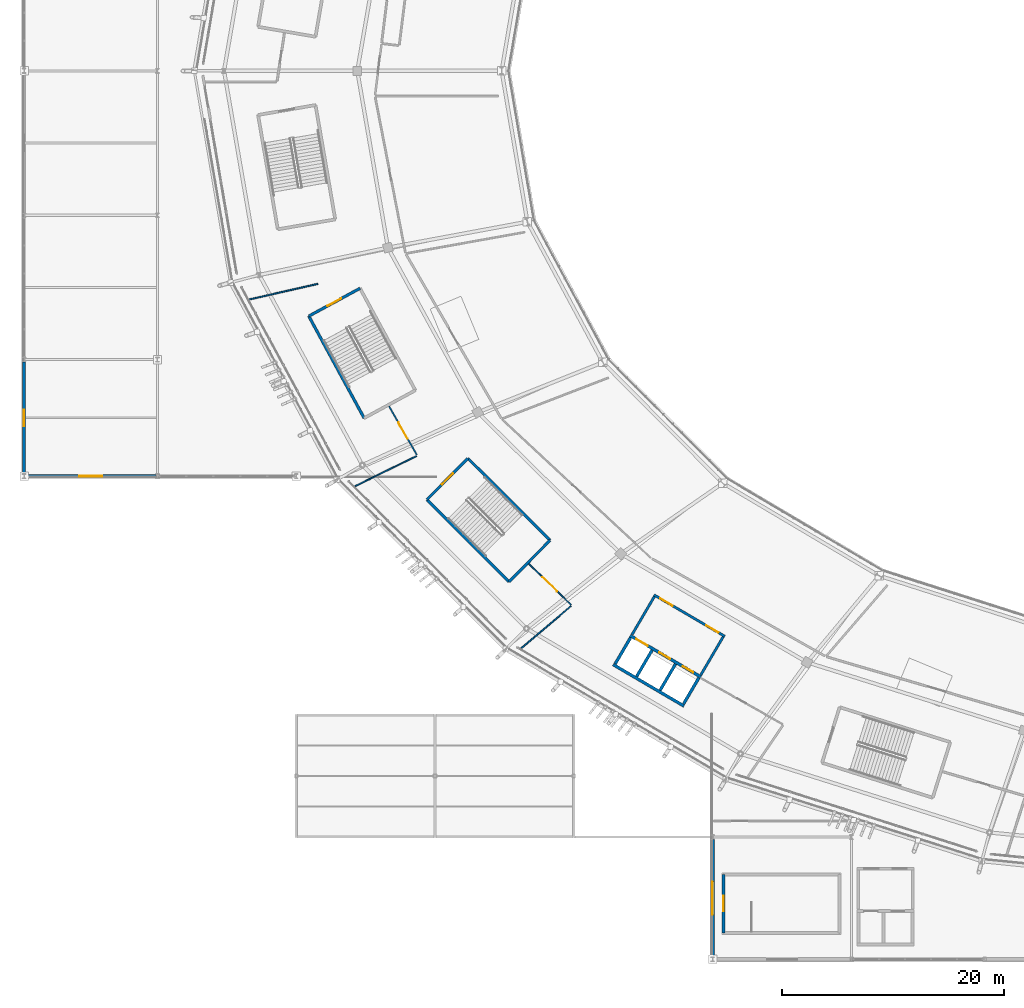
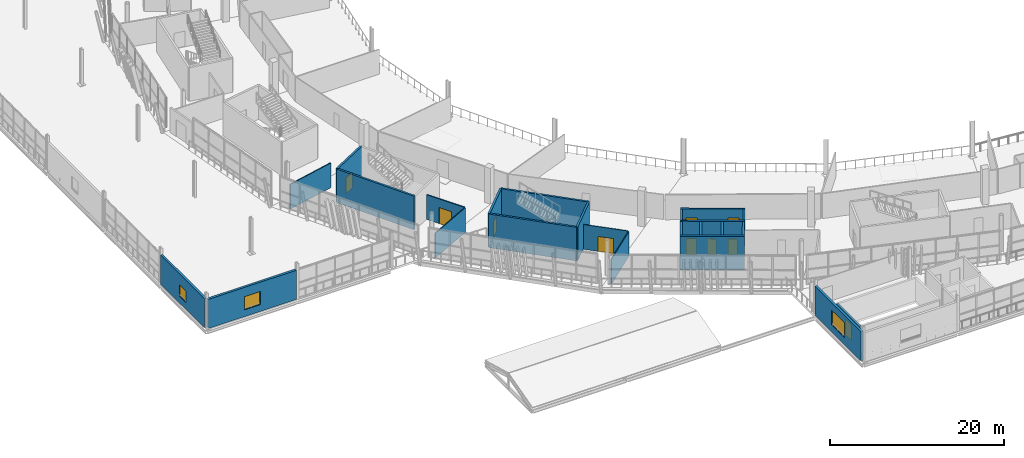
# One storey, part 123 of 179: 24 walls, 10 doors, 3 windows, 13 openings.
"""IFC4 building model written with IfcOpenShell, lengths in metres."""

from ifc_helpers import new_model, si_unit, direction, frame, frame_2d, origin, place, context, subcontext, project, spatial, rectangle, extrude, material, layer, layer_set, type_object, element, fill, save


model = new_model("IFC4")

# Units and contexts
model_context = context("Model", 3, precision=1e-05, world=origin(), true_north=direction((0.0, 1.0)))
body_context = subcontext(model_context, "Body", "Model", "MODEL_VIEW")
ifc_project = project(units=[si_unit("LENGTHUNIT", "METRE"), si_unit("AREAUNIT", "SQUARE_METRE"), si_unit("VOLUMEUNIT", "CUBIC_METRE"), si_unit("PLANEANGLEUNIT", "RADIAN"), si_unit("MASSUNIT", "GRAM", prefix="KILO")], contexts=[model_context])

# Site, building, storey
site_placement = place(None, origin())
site = spatial("IfcSite", under=ifc_project, at=site_placement, CompositionType="ELEMENT")
building_placement = place(site_placement, origin())
building = spatial("IfcBuilding", under=site, at=building_placement, Name="Zlatoyarsky Gate Stadium", CompositionType="ELEMENT")
storey_placement = place(building_placement, frame((0.0, 0.0, 10.60009765625)))
storey = spatial("IfcBuildingStorey", under=building, at=storey_placement, Name="L02", CompositionType="ELEMENT", Elevation=10.60009765625)

# Walls
ifc_material_1 = material(Name="Anodised aluminium acoustic operable wall", Category="aluminium")
ifc_layer_1 = layer(ifc_material_1, 0.114990234375)
ifc_layer_set_1 = layer_set([ifc_layer_1], Name="Anodised aluminium acoustic operable wall")
wall_type_1 = type_object("IfcWallType", Name="ACOUSTIC OPERABLE SUITE WALL 115", PredefinedType="MOVABLE", material=ifc_layer_set_1)
wall_1_placement = place(storey_placement, frame((49.2470703125, 31.806396484375, 0.0), z_axis=(0.0, 0.0, 1.0), x_axis=(-0.762603299445, -0.646866452736, 0.0)))
element("IfcWall", 1, at=wall_1_placement, inside=storey, type_object=wall_type_1, Name="L02 interior partition PRT-L02-ORD-14R", PredefinedType="MOVABLE", context=body_context, shape_type="SweptSolid", body=[
    extrude(rectangle(XDim=5.9296875, YDim=0.114990234375, at=frame_2d((2.96484375, 0.0))), origin(), (0.0, 0.0, 1.0), 3.469970703125),
])
ifc_material_2 = material(Name="Concrete C40/50", Category="concrete")
ifc_layer_2 = layer(ifc_material_2, 0.27001953125)
ifc_layer_set_2 = layer_set([ifc_layer_2], Name="Concrete C40/50")
wall_type_2 = type_object("IfcWallType", Name="CONCRETE LIFT SHAFT SHEAR WALL 270", PredefinedType="SHEAR", material=ifc_layer_set_2)
wall_2_placement = place(storey_placement, frame((53.037353515625, 26.541015625, 0.0), z_axis=(0.0, 0.0, 1.0), x_axis=(0.862865684113, -0.505433290534, 0.0)))
element("IfcWall", 2, at=wall_2_placement, inside=storey, type_object=wall_type_2, Name="C3 L02 lift shaft rear wall", PredefinedType="SHEAR", context=body_context, shape_type="SweptSolid", body=[
    extrude(rectangle(XDim=7.400146484375, YDim=0.27001953125, at=frame_2d((3.7001953125, 0.0))), origin(), (0.0, 0.0, 1.0), 4.719970703125),
])
for number, where, z_axis, x_axis, name in (
    (3, (53.227294921875, 26.597900390625, 0.0), (0.0, 0.0, 1.0), (0.505465660416, 0.862846722275, 0.0), "C3 L02 lift shaft left wall"),
    (4, (59.37939453125, 22.993896484375, 0.0), (0.0, 0.0, 1.0), (0.505465660416, 0.862846722275, 0.0), "C3 L02 lift shaft right wall"),
):
    element("IfcWall", number, at=place(storey_placement, frame(where, z_axis=z_axis, x_axis=x_axis)), inside=storey, type_object=wall_type_2, Name=name, PredefinedType="SHEAR", context=body_context, shape_type="SweptSolid", body=[
        extrude(rectangle(XDim=2.739990234375, YDim=0.27001953125, at=frame_2d((1.3701171875, 0.0))), origin(), (0.0, 0.0, 1.0), 4.719970703125),
    ])
wall_3_placement = place(storey_placement, frame((55.159912109375, 25.4658203125, 0.0), z_axis=(0.0, 0.0, 1.0), x_axis=(0.505504523015, 0.862823954936, 0.0)))
element("IfcWall", 5, at=wall_3_placement, inside=storey, type_object=wall_type_2, Name="C3 L02 lift shaft divider 1", PredefinedType="SHEAR", context=body_context, shape_type="SweptSolid", body=[
    extrude(rectangle(XDim=2.73974609375, YDim=0.27001953125, at=frame_2d((1.369873046875, 0.0))), origin(), (0.0, 0.0, 1.0), 4.719970703125),
])
wall_4_placement = place(storey_placement, frame((57.27392578125, 24.227294921875, 0.0), z_axis=(0.0, 0.0, 1.0), x_axis=(0.505465660416, 0.862846722275, 0.0)))
element("IfcWall", 6, at=wall_4_placement, inside=storey, type_object=wall_type_2, Name="C3 L02 lift shaft divider 2", PredefinedType="SHEAR", context=body_context, shape_type="SweptSolid", body=[
    extrude(rectangle(XDim=2.739990234375, YDim=0.27001953125, at=frame_2d((1.3701171875, 0.0))), origin(), (0.0, 0.0, 1.0), 4.719970703125),
])

# Wall, openings, doors
wall_5_placement = place(storey_placement, frame((54.569091796875, 29.155517578125, 0.0), z_axis=(0.0, 0.0, 1.0), x_axis=(0.862842866418, -0.505472242434, 0.0)))
wall_5 = element("IfcWall", 7, at=wall_5_placement, inside=storey, type_object=wall_type_2, Name="C3 L02 lift landing front wall", PredefinedType="SHEAR", context=body_context, shape_type="SweptSolid", body=[
    extrude(rectangle(XDim=7.39990234375, YDim=0.27001953125, at=frame_2d((3.699951171875, 0.0))), origin(), (0.0, 0.0, 1.0), 4.719970703125),
])
opening_1_placement = place(wall_5_placement, frame((0.64990234375, 0.0, 0.0)))
opening_1 = element("IfcOpeningElement", 8, at=opening_1_placement, cuts=wall_5, Name="Opening LD-FL-03-L02", PredefinedType="OPENING", context=body_context, shape_type="SweptSolid", body=[
    extrude(rectangle(XDim=1.199951171875, YDim=2.25, at=frame_2d((0.60009765625, 1.125))), frame((0.0, 0.14501953125, 0.0), z_axis=(0.0, -1.0, 0.0), x_axis=(1.0, 0.0, 0.0)), (0.0, 0.0, 1.0), 0.2900390625),
])
opening_2_placement = place(wall_5_placement, frame((3.050048828125, 0.0, 0.0)))
opening_2 = element("IfcOpeningElement", 9, at=opening_2_placement, cuts=wall_5, Name="Opening LD-LF-05-L02", PredefinedType="OPENING", context=body_context, shape_type="SweptSolid", body=[
    extrude(rectangle(XDim=1.10009765625, YDim=2.199951171875, at=frame_2d((0.550048828125, 1.10009765625))), frame((0.0, 0.14501953125, 0.0), z_axis=(0.0, -1.0, 0.0), x_axis=(1.0, 0.0, 0.0)), (0.0, 0.0, 1.0), 0.2900390625),
])
opening_3_placement = place(wall_5_placement, frame((5.5, 0.0, 0.0)))
opening_3 = element("IfcOpeningElement", 10, at=opening_3_placement, cuts=wall_5, Name="Opening LD-LF-06-L02", PredefinedType="OPENING", context=body_context, shape_type="SweptSolid", body=[
    extrude(rectangle(XDim=1.10009765625, YDim=2.199951171875, at=frame_2d((0.550048828125, 1.10009765625))), frame((0.0, 0.14501953125, 0.0), z_axis=(0.0, -1.0, 0.0), x_axis=(1.0, 0.0, 0.0)), (0.0, 0.0, 1.0), 0.2900390625),
])
ifc_material_3 = material(Name="Powder-coated steel fire door", Category="steel")
door_type_1 = type_object("IfcDoorType", Name="STAINLESS LIFT LANDING SLIDING DOOR 1100X2200", OperationType="DOUBLE_DOOR_SLIDING", PredefinedType="DOOR", material=ifc_material_3)
door_1_placement = place(opening_2_placement, origin())
door_1 = element("IfcDoor", 11, at=door_1_placement, inside=storey, type_object=door_type_1, Name="Lift LF-05 L02 sliding landing door", OperationType="DOUBLE_DOOR_SLIDING", OverallHeight=2.199951171875, OverallWidth=1.10009765625, PredefinedType="DOOR", context=body_context, shape_type="SweptSolid", body=[
    extrude(rectangle(XDim=1.10009765625, YDim=2.199951171875, at=frame_2d((0.550048828125, 1.10009765625))), frame((0.0, 0.02490234375, 0.0), z_axis=(0.0, -1.0, 0.0), x_axis=(1.0, 0.0, 0.0)), (0.0, 0.0, 1.0), 0.050048828125),
])
fill(opening_2, door_1)
door_2_placement = place(opening_3_placement, origin())
door_2 = element("IfcDoor", 12, at=door_2_placement, inside=storey, type_object=door_type_1, Name="Lift LF-06 L02 sliding landing door", OperationType="DOUBLE_DOOR_SLIDING", OverallHeight=2.199951171875, OverallWidth=1.10009765625, PredefinedType="DOOR", context=body_context, shape_type="SweptSolid", body=[
    extrude(rectangle(XDim=1.10009765625, YDim=2.199951171875, at=frame_2d((0.550048828125, 1.10009765625))), frame((0.0, 0.02490234375, 0.0), z_axis=(0.0, -1.0, 0.0), x_axis=(1.0, 0.0, 0.0)), (0.0, 0.0, 1.0), 0.050048828125),
])
fill(opening_3, door_2)
door_type_2 = type_object("IfcDoorType", Name="STAINLESS LIFT LANDING SLIDING DOOR 1200X2250", OperationType="DOUBLE_DOOR_SLIDING", PredefinedType="DOOR", material=ifc_material_3)
door_3_placement = place(opening_1_placement, origin())
door_3 = element("IfcDoor", 13, at=door_3_placement, inside=storey, type_object=door_type_2, Name="Lift FL-03 L02 sliding landing door", OperationType="DOUBLE_DOOR_SLIDING", OverallHeight=2.25, OverallWidth=1.199951171875, PredefinedType="DOOR", context=body_context, shape_type="SweptSolid", body=[
    extrude(rectangle(XDim=1.199951171875, YDim=2.25, at=frame_2d((0.60009765625, 1.125))), frame((0.0, 0.02490234375, 0.0), z_axis=(0.0, -1.0, 0.0), x_axis=(1.0, 0.0, 0.0)), (0.0, 0.0, 1.0), 0.050048828125),
])
fill(opening_1, door_3)

# Wall, opening, door
ifc_layer_3 = layer(ifc_material_2, 0.25)
ifc_layer_set_3 = layer_set([ifc_layer_3], Name="Concrete C40/50")
wall_type_3 = type_object("IfcWallType", Name="CONCRETE STAIR CORE SHEAR WALL 250", PredefinedType="SHEAR", material=ifc_layer_set_3)
wall_6_placement = place(storey_placement, frame((39.961181640625, 45.10205078125, 0.0), z_axis=(0.0, 0.0, 1.0), x_axis=(-0.705314141126, -0.708894888067, 0.0)))
wall_6 = element("IfcWall", 14, at=wall_6_placement, inside=storey, type_object=wall_type_3, Name="ST-08 L02 stair core entrance shear wall", PredefinedType="SHEAR", context=body_context, shape_type="SweptSolid", body=[
    extrude(rectangle(XDim=5.25, YDim=0.25, at=frame_2d((2.625, 0.0))), origin(), (0.0, 0.0, 1.0), 4.719970703125),
])
opening_4_placement = place(wall_6_placement, frame((1.925048828125, 0.0, 0.0)))
opening_4 = element("IfcOpeningElement", 15, at=opening_4_placement, cuts=wall_6, Name="Opening SD-ST-08-L02", PredefinedType="OPENING", context=body_context, shape_type="SweptSolid", body=[
    extrude(rectangle(XDim=1.39990234375, YDim=2.199951171875, at=frame_2d((0.699951171875, 1.10009765625))), frame((0.0, 0.135009765625, 0.0), z_axis=(0.0, -1.0, 0.0), x_axis=(1.0, 0.0, 0.0)), (0.0, 0.0, 1.0), 0.27001953125),
])
door_type_3 = type_object("IfcDoorType", Name="STAIR CORE FIRE EXIT DOOR 1400X2200", OperationType="NOTDEFINED", PredefinedType="DOOR", material=ifc_material_3)
door_4_placement = place(opening_4_placement, frame((1.39990234375, 0.0, 0.0), z_axis=(0.0, 0.0, 1.0), x_axis=(-1.0, 0.0, 0.0)))
door_4 = element("IfcDoor", 16, at=door_4_placement, inside=storey, type_object=door_type_3, Name="ST-08 L02 stair fire door", OperationType="SINGLE_SWING_RIGHT", OverallHeight=2.199951171875, OverallWidth=1.39990234375, PredefinedType="DOOR", context=body_context, shape_type="SweptSolid", body=[
    extrude(rectangle(XDim=1.39990234375, YDim=2.199951171875, at=frame_2d((0.699951171875, 1.10009765625))), frame((0.0, 0.02490234375, 0.0), z_axis=(0.0, -1.0, 0.0), x_axis=(1.0, 0.0, 0.0)), (0.0, 0.0, 1.0), 0.050048828125),
])
fill(opening_4, door_4)

# Walls
wall_7_placement = place(storey_placement, frame((36.25830078125, 41.38037109375, 0.0), z_axis=(0.0, 0.0, 1.0), x_axis=(0.708891762409, -0.705317282639, 0.0)))
element("IfcWall", 17, at=wall_7_placement, inside=storey, type_object=wall_type_3, Name="ST-08 L02 stair core left shear wall", PredefinedType="SHEAR", context=body_context, shape_type="SweptSolid", body=[
    extrude(rectangle(XDim=10.449951171875, YDim=0.25, at=frame_2d((5.22509765625, 0.0))), origin(), (0.0, 0.0, 1.0), 4.719970703125),
])
wall_8_placement = place(storey_placement, frame((43.666259765625, 34.009765625, 0.0), z_axis=(0.0, 0.0, 1.0), x_axis=(0.705314141126, 0.708894888067, 0.0)))
element("IfcWall", 18, at=wall_8_placement, inside=storey, type_object=wall_type_3, Name="ST-08 L02 stair core far shear wall", PredefinedType="SHEAR", context=body_context, shape_type="SweptSolid", body=[
    extrude(rectangle(XDim=5.25, YDim=0.25, at=frame_2d((2.625, 0.0))), origin(), (0.0, 0.0, 1.0), 4.719970703125),
])
wall_9_placement = place(storey_placement, frame((47.369140625, 37.7314453125, 0.0), z_axis=(0.0, 0.0, 1.0), x_axis=(-0.708891762409, 0.705317282639, 0.0)))
element("IfcWall", 19, at=wall_9_placement, inside=storey, type_object=wall_type_3, Name="ST-08 L02 stair core right shear wall", PredefinedType="SHEAR", context=body_context, shape_type="SweptSolid", body=[
    extrude(rectangle(XDim=10.449951171875, YDim=0.25, at=frame_2d((5.22509765625, 0.0))), origin(), (0.0, 0.0, 1.0), 4.719970703125),
])

# Wall, opening, door
wall_10_placement = place(storey_placement, frame((30.246337890625, 60.420166015625, 0.0), z_axis=(0.0, 0.0, 1.0), x_axis=(-0.878961487093, -0.47689275965, 0.0)))
wall_10 = element("IfcWall", 20, at=wall_10_placement, inside=storey, type_object=wall_type_3, Name="ST-15 L02 stair core entrance shear wall", PredefinedType="SHEAR", context=body_context, shape_type="SweptSolid", body=[
    extrude(rectangle(XDim=5.25, YDim=0.25, at=frame_2d((2.625, 0.0))), origin(), (0.0, 0.0, 1.0), 4.719970703125),
])
opening_5_placement = place(wall_10_placement, frame((1.925048828125, 0.0, 0.0)))
opening_5 = element("IfcOpeningElement", 21, at=opening_5_placement, cuts=wall_10, Name="Opening SD-ST-15-L02", PredefinedType="OPENING", context=body_context, shape_type="SweptSolid", body=[
    extrude(rectangle(XDim=1.39990234375, YDim=2.199951171875, at=frame_2d((0.699951171875, 1.10009765625))), frame((0.0, 0.135009765625, 0.0), z_axis=(0.0, -1.0, 0.0), x_axis=(1.0, 0.0, 0.0)), (0.0, 0.0, 1.0), 0.27001953125),
])
door_5_placement = place(opening_5_placement, frame((1.39990234375, 0.0, 0.0), z_axis=(0.0, 0.0, 1.0), x_axis=(-1.0, 0.0, 0.0)))
door_5 = element("IfcDoor", 22, at=door_5_placement, inside=storey, type_object=door_type_3, Name="ST-15 L02 stair fire door", OperationType="SINGLE_SWING_RIGHT", OverallHeight=2.199951171875, OverallWidth=1.39990234375, PredefinedType="DOOR", context=body_context, shape_type="SweptSolid", body=[
    extrude(rectangle(XDim=1.39990234375, YDim=2.199951171875, at=frame_2d((0.699951171875, 1.10009765625))), frame((0.0, 0.02490234375, 0.0), z_axis=(0.0, -1.0, 0.0), x_axis=(1.0, 0.0, 0.0)), (0.0, 0.0, 1.0), 0.050048828125),
])
fill(opening_5, door_5)

# Wall
wall_11_placement = place(storey_placement, frame((25.6318359375, 57.91650390625, 0.0), z_axis=(0.0, 0.0, 1.0), x_axis=(0.476876856974, -0.878970115125, 0.0)))
element("IfcWall", 23, at=wall_11_placement, inside=storey, type_object=wall_type_3, Name="ST-15 L02 stair core left shear wall", PredefinedType="SHEAR", context=body_context, shape_type="SweptSolid", body=[
    extrude(rectangle(XDim=10.4501953125, YDim=0.25, at=frame_2d((5.22509765625, 0.0))), origin(), (0.0, 0.0, 1.0), 4.719970703125),
])

# Wall, opening, door
wall_12_placement = place(storey_placement, frame((62.97509765625, 7.625, 0.0), z_axis=(0.0, 0.0, 1.0), x_axis=(0.0, -1.0, 0.0)))
wall_12 = element("IfcWall", 24, at=wall_12_placement, inside=storey, type_object=wall_type_3, Name="ST-29 L02 stair core entrance shear wall", PredefinedType="SHEAR", context=body_context, shape_type="SweptSolid", body=[
    extrude(rectangle(XDim=5.25, YDim=0.25, at=frame_2d((2.625, 0.0))), origin(), (0.0, 0.0, 1.0), 3.199951171875),
])
opening_6_placement = place(wall_12_placement, frame((1.925048828125, 0.0, 0.0)))
opening_6 = element("IfcOpeningElement", 25, at=opening_6_placement, cuts=wall_12, Name="Opening SD-ST-29-L02", PredefinedType="OPENING", context=body_context, shape_type="SweptSolid", body=[
    extrude(rectangle(XDim=1.39990234375, YDim=2.199951171875, at=frame_2d((0.699951171875, 1.10009765625))), frame((0.0, 0.135009765625, 0.0), z_axis=(0.0, -1.0, 0.0), x_axis=(1.0, 0.0, 0.0)), (0.0, 0.0, 1.0), 0.27001953125),
])
door_6_placement = place(opening_6_placement, frame((1.39990234375, 0.0, 0.0), z_axis=(0.0, 0.0, 1.0), x_axis=(-1.0, 0.0, 0.0)))
door_6 = element("IfcDoor", 26, at=door_6_placement, inside=storey, type_object=door_type_3, Name="ST-29 L02 stair fire door", OperationType="SINGLE_SWING_RIGHT", OverallHeight=2.199951171875, OverallWidth=1.39990234375, PredefinedType="DOOR", context=body_context, shape_type="SweptSolid", body=[
    extrude(rectangle(XDim=1.39990234375, YDim=2.199951171875, at=frame_2d((0.699951171875, 1.10009765625))), frame((0.0, 0.02490234375, 0.0), z_axis=(0.0, -1.0, 0.0), x_axis=(1.0, 0.0, 0.0)), (0.0, 0.0, 1.0), 0.050048828125),
])
fill(opening_6, door_6)

# Walls
ifc_material_4 = material(Name="Autoclaved aerated concrete masonry EI 120", Category="masonry")
ifc_layer_4 = layer(ifc_material_4, 0.219970703125)
ifc_layer_set_4 = layer_set([ifc_layer_4], Name="Autoclaved aerated concrete masonry EI 120")
wall_type_4 = type_object("IfcWallType", Name="FIREFIGHTING LOBBY RATED WALL 220", PredefinedType="PARTITIONING", material=ifc_layer_set_4)
for number, where, z_axis, x_axis, name in (
    (27, (54.7421875, 29.233642578125, 0.0), (0.0, 0.0, 1.0), (0.505464443681, 0.862847435051, 0.0), "C3 L02 firefighting lobby left wall"),
    (28, (60.9375, 25.6044921875, 0.0), (0.0, 0.0, 1.0), (0.505464443681, 0.862847435051, 0.0), "C3 L02 firefighting lobby right wall"),
):
    element("IfcWall", number, at=place(storey_placement, frame(where, z_axis=z_axis, x_axis=x_axis)), inside=storey, type_object=wall_type_4, Name=name, PredefinedType="PARTITIONING", context=body_context, shape_type="SweptSolid", body=[
        extrude(rectangle(XDim=3.97998046875, YDim=0.219970703125, at=frame_2d((1.989990234375, 0.0))), origin(), (0.0, 0.0, 1.0), 3.469970703125),
    ])

# Wall, openings, doors
wall_13_placement = place(storey_placement, frame((56.714599609375, 32.818359375, 0.0), z_axis=(0.0, 0.0, 1.0), x_axis=(0.862851295616, -0.505457853488, 0.0)))
wall_13 = element("IfcWall", 29, at=wall_13_placement, inside=storey, type_object=wall_type_4, Name="C3 L02 firefighting lobby front wall", PredefinedType="PARTITIONING", context=body_context, shape_type="SweptSolid", body=[
    extrude(rectangle(XDim=7.400146484375, YDim=0.219970703125, at=frame_2d((3.7001953125, 0.0))), origin(), (0.0, 0.0, 1.0), 3.469970703125),
])
opening_7_placement = place(wall_13_placement, frame((0.64990234375, 0.0, 0.0)))
opening_7 = element("IfcOpeningElement", 30, at=opening_7_placement, cuts=wall_13, Name="Opening FD-C3-L02-A", PredefinedType="OPENING", context=body_context, shape_type="SweptSolid", body=[
    extrude(rectangle(XDim=1.300048828125, YDim=2.199951171875, at=frame_2d((0.64990234375, 1.10009765625))), frame((0.0, 0.119873046875, 0.0), z_axis=(0.0, -1.0, 0.0), x_axis=(1.0, 0.0, 0.0)), (0.0, 0.0, 1.0), 0.239990234375),
])
opening_8_placement = place(wall_13_placement, frame((5.449951171875, 0.0, 0.0)))
opening_8 = element("IfcOpeningElement", 31, at=opening_8_placement, cuts=wall_13, Name="Opening FD-C3-L02-B", PredefinedType="OPENING", context=body_context, shape_type="SweptSolid", body=[
    extrude(rectangle(XDim=1.300048828125, YDim=2.199951171875, at=frame_2d((0.64990234375, 1.10009765625))), frame((0.0, 0.119873046875, 0.0), z_axis=(0.0, -1.0, 0.0), x_axis=(1.0, 0.0, 0.0)), (0.0, 0.0, 1.0), 0.239990234375),
])
door_type_4 = type_object("IfcDoorType", Name="FIREFIGHTING LOBBY FIRE DOOR 1300X2200", OperationType="NOTDEFINED", PredefinedType="DOOR", material=ifc_material_3)
door_7_placement = place(opening_7_placement, origin())
door_7 = element("IfcDoor", 32, at=door_7_placement, inside=storey, type_object=door_type_4, Name="C3 L02 firefighting lobby fire door FD-C3-L02-A", OperationType="SINGLE_SWING_LEFT", OverallHeight=2.199951171875, OverallWidth=1.300048828125, PredefinedType="DOOR", context=body_context, shape_type="SweptSolid", body=[
    extrude(rectangle(XDim=1.300048828125, YDim=2.199951171875, at=frame_2d((0.64990234375, 1.10009765625))), frame((0.0, 0.02490234375, 0.0), z_axis=(0.0, -1.0, 0.0), x_axis=(1.0, 0.0, 0.0)), (0.0, 0.0, 1.0), 0.050048828125),
])
fill(opening_7, door_7)
door_8_placement = place(opening_8_placement, origin())
door_8 = element("IfcDoor", 33, at=door_8_placement, inside=storey, type_object=door_type_4, Name="C3 L02 firefighting lobby fire door FD-C3-L02-B", OperationType="SINGLE_SWING_RIGHT", OverallHeight=2.199951171875, OverallWidth=1.300048828125, PredefinedType="DOOR", context=body_context, shape_type="SweptSolid", body=[
    extrude(rectangle(XDim=1.300048828125, YDim=2.199951171875, at=frame_2d((0.64990234375, 1.10009765625))), frame((0.0, 0.02490234375, 0.0), z_axis=(0.0, -1.0, 0.0), x_axis=(1.0, 0.0, 0.0)), (0.0, 0.0, 1.0), 0.050048828125),
])
fill(opening_8, door_8)

# Wall, opening, window
ifc_material_5 = material(Name="Limestone-faced insulated masonry wall", Category="masonry")
ifc_layer_5 = layer(ifc_material_5, 0.300048828125)
ifc_layer_set_5 = layer_set([ifc_layer_5], Name="Limestone-faced insulated masonry wall")
wall_type_5 = type_object("IfcWallType", Name="INSULATED PAVILION FACADE WALL 300", PredefinedType="STANDARD", material=ifc_layer_set_5)
wall_14_placement = place(storey_placement, frame((62.0, 0.197021484375, 0.0), z_axis=(0.0, 0.0, 1.0), x_axis=(0.0, 1.0, 0.0)))
wall_14 = element("IfcWall", 34, at=wall_14_placement, inside=storey, type_object=wall_type_5, Name="V3_SOUTH L02 W exterior wall", PredefinedType="STANDARD", context=body_context, shape_type="SweptSolid", body=[
    extrude(rectangle(XDim=10.60595703125, YDim=0.300048828125, at=frame_2d((5.302978515625, 0.0))), origin(), (0.0, 0.0, 1.0), 4.099853515625),
])
opening_9_placement = place(wall_14_placement, frame((3.802978515625, 0.0, 0.949951171875)))
opening_9 = element("IfcOpeningElement", 35, at=opening_9_placement, cuts=wall_14, Name="Opening WN-28", PredefinedType="OPENING", context=body_context, shape_type="SweptSolid", body=[
    extrude(rectangle(XDim=3.0, YDim=2.10009765625, at=frame_2d((1.5, 1.050048828125))), frame((0.0, 0.159912109375, 0.0), z_axis=(0.0, -1.0, 0.0), x_axis=(1.0, 0.0, 0.0)), (0.0, 0.0, 1.0), 0.320068359375),
])
ifc_material_6 = material(Name="Triple-glazed thermally broken aluminium window", Category="aluminium")
window_type_1 = type_object("IfcWindowType", Name="TRIPLE GLAZED ALUMINIUM WINDOW 3000X2100", PartitioningType="SINGLE_PANEL", PredefinedType="WINDOW", material=ifc_material_6)
window_1_placement = place(opening_9_placement, origin())
window_1 = element("IfcWindow", 36, at=window_1_placement, inside=storey, type_object=window_type_1, Name="Exterior window WIN-L02-028", OverallHeight=2.10009765625, OverallWidth=3.0, PartitioningType="SINGLE_PANEL", PredefinedType="WINDOW", context=body_context, shape_type="SweptSolid", body=[
    extrude(rectangle(XDim=3.0, YDim=2.10009765625, at=frame_2d((1.5, 1.050048828125))), frame((0.0, 0.030029296875, 0.0), z_axis=(0.0, -1.0, 0.0), x_axis=(1.0, 0.0, 0.0)), (0.0, 0.0, 1.0), 0.06005859375),
])
fill(opening_9, window_1)

wall_15_placement = place(storey_placement, frame((0.14697265625, 43.5, 0.0), z_axis=(0.0, 0.0, 1.0), x_axis=(1.0, 0.0, 0.0)))
wall_15 = element("IfcWall", 37, at=wall_15_placement, inside=storey, type_object=wall_type_5, Name="V4_WEST L02 S exterior wall", PredefinedType="STANDARD", context=body_context, shape_type="SweptSolid", body=[
    extrude(rectangle(XDim=11.7060546875, YDim=0.300048828125, at=frame_2d((5.85302734375, 0.0))), origin(), (0.0, 0.0, 1.0), 4.099853515625),
])
opening_10_placement = place(wall_15_placement, frame((4.802978515625, 0.0, 0.949951171875)))
opening_10 = element("IfcOpeningElement", 38, at=opening_10_placement, cuts=wall_15, Name="Opening WN-15", PredefinedType="OPENING", context=body_context, shape_type="SweptSolid", body=[
    extrude(rectangle(XDim=2.10009765625, YDim=1.85009765625, at=frame_2d((1.050048828125, 0.925048828125))), frame((0.0, 0.159912109375, 0.0), z_axis=(0.0, -1.0, 0.0), x_axis=(1.0, 0.0, 0.0)), (0.0, 0.0, 1.0), 0.320068359375),
])
window_type_2 = type_object("IfcWindowType", Name="TRIPLE GLAZED ALUMINIUM WINDOW 2100X1850", PartitioningType="SINGLE_PANEL", PredefinedType="WINDOW", material=ifc_material_6)
window_2_placement = place(opening_10_placement, origin())
window_2 = element("IfcWindow", 39, at=window_2_placement, inside=storey, type_object=window_type_2, Name="Exterior window WIN-L02-043", OverallHeight=1.85009765625, OverallWidth=2.10009765625, PartitioningType="SINGLE_PANEL", PredefinedType="WINDOW", context=body_context, shape_type="SweptSolid", body=[
    extrude(rectangle(XDim=2.10009765625, YDim=1.85009765625, at=frame_2d((1.050048828125, 0.925048828125))), frame((0.0, 0.030029296875, 0.0), z_axis=(0.0, -1.0, 0.0), x_axis=(1.0, 0.0, 0.0)), (0.0, 0.0, 1.0), 0.06005859375),
])
fill(opening_10, window_2)

ifc_material_7 = material(Name="Precast concrete C40/50 architectural panel", Category="concrete")
ifc_layer_6 = layer(ifc_material_7, 0.280029296875)
ifc_layer_set_6 = layer_set([ifc_layer_6], Name="Precast concrete C40/50 architectural panel")
wall_type_6 = type_object("IfcWallType", Name="INSULATED WING SPANDREL WALL 280", PredefinedType="STANDARD", material=ifc_layer_set_6)
wall_16_placement = place(storey_placement, frame((0.0, 43.697021484375, 0.0), z_axis=(0.0, 0.0, 1.0), x_axis=(0.0, 1.0, 0.0)))
wall_16 = element("IfcWall", 40, at=wall_16_placement, inside=storey, type_object=wall_type_6, Name="V4_WEST L02 W_LO exterior wall", PredefinedType="STANDARD", context=body_context, shape_type="SweptSolid", body=[
    extrude(rectangle(XDim=10.10595703125, YDim=0.280029296875, at=frame_2d((5.052978515625, 0.0))), origin(), (0.0, 0.0, 1.0), 4.099853515625),
])
opening_11_placement = place(wall_16_placement, frame((4.302978515625, 0.0, 0.949951171875)))
opening_11 = element("IfcOpeningElement", 41, at=opening_11_placement, cuts=wall_16, Name="Opening WN-06", PredefinedType="OPENING", context=body_context, shape_type="SweptSolid", body=[
    extrude(rectangle(XDim=1.5, YDim=1.60009765625, at=frame_2d((0.75, 0.800048828125))), frame((0.0, 0.14990234375, 0.0), z_axis=(0.0, -1.0, 0.0), x_axis=(1.0, 0.0, 0.0)), (0.0, 0.0, 1.0), 0.300048828125),
])
window_type_3 = type_object("IfcWindowType", Name="TRIPLE GLAZED ALUMINIUM WINDOW 1500X1600", PartitioningType="SINGLE_PANEL", PredefinedType="WINDOW", material=ifc_material_6)
window_3_placement = place(opening_11_placement, origin())
window_3 = element("IfcWindow", 42, at=window_3_placement, inside=storey, type_object=window_type_3, Name="Exterior window WIN-L02-034", OverallHeight=1.60009765625, OverallWidth=1.5, PartitioningType="SINGLE_PANEL", PredefinedType="WINDOW", context=body_context, shape_type="SweptSolid", body=[
    extrude(rectangle(XDim=1.5, YDim=1.60009765625, at=frame_2d((0.75, 0.800048828125))), frame((0.0, 0.030029296875, 0.0), z_axis=(0.0, -1.0, 0.0), x_axis=(1.0, 0.0, 0.0)), (0.0, 0.0, 1.0), 0.06005859375),
])
fill(opening_11, window_3)

# Wall
ifc_material_8 = material(Name="Metal-stud gypsum partition", Category="gypsum")
ifc_layer_7 = layer(ifc_material_8, 0.110107421875)
ifc_layer_set_7 = layer_set([ifc_layer_7], Name="Metal-stud gypsum partition")
wall_type_7 = type_object("IfcWallType", Name="KIOSK SERVICE PARTITION 110", PredefinedType="PARTITIONING", material=ifc_layer_set_7)
wall_17_placement = place(storey_placement, frame((35.32470703125, 45.31103515625, 0.0), z_axis=(0.0, 0.0, 1.0), x_axis=(-0.898034659814, -0.43992470921, 0.0)))
element("IfcWall", 43, at=wall_17_placement, inside=storey, type_object=wall_type_7, Name="L02 interior partition PRT-L02-ORD-13R", PredefinedType="PARTITIONING", context=body_context, shape_type="SweptSolid", body=[
    extrude(rectangle(XDim=6.175537109375, YDim=0.110107421875, at=frame_2d((3.087890625, 0.0))), origin(), (0.0, 0.0, 1.0), 3.469970703125),
])

# Wall, opening, door
ifc_layer_8 = layer(ifc_material_8, 0.10009765625)
ifc_layer_set_8 = layer_set([ifc_layer_8], Name="Metal-stud gypsum partition")
wall_type_8 = type_object("IfcWallType", Name="LIGHT STORAGE PARTITION 100", PredefinedType="PARTITIONING", material=ifc_layer_set_8)
wall_18_placement = place(storey_placement, frame((45.443603515625, 35.61181640625, 0.0), z_axis=(0.0, 0.0, 1.0), x_axis=(0.717933859763, -0.696111322279, 0.0)))
wall_18 = element("IfcWall", 44, at=wall_18_placement, inside=storey, type_object=wall_type_8, Name="L02 interior partition PRT-L02-OCC-14-1", PredefinedType="PARTITIONING", context=body_context, shape_type="SweptSolid", body=[
    extrude(rectangle(XDim=5.302978515625, YDim=0.10009765625, at=frame_2d((2.6513671875, 0.0))), origin(), (0.0, 0.0, 1.0), 3.469970703125),
])
opening_12_placement = place(wall_18_placement, frame((1.741455078125, 0.0, 0.0)))
opening_12 = element("IfcOpeningElement", 45, at=opening_12_placement, cuts=wall_18, Name="Opening D-L02-367", PredefinedType="OPENING", context=body_context, shape_type="SweptSolid", body=[
    extrude(rectangle(XDim=1.820068359375, YDim=2.10009765625, at=frame_2d((0.91015625, 1.050048828125))), frame((0.0, 0.06005859375, 0.0), z_axis=(0.0, -1.0, 0.0), x_axis=(1.0, 0.0, 0.0)), (0.0, 0.0, 1.0), 0.1201171875),
])
ifc_material_9 = material(Name="Solid-core oak veneer acoustic door", Category="wood")
door_type_5 = type_object("IfcDoorType", Name="ACOUSTIC INTERIOR DOOR 1820X2100", OperationType="NOTDEFINED", PredefinedType="DOOR", material=ifc_material_9)
door_9_placement = place(opening_12_placement, origin())
door_9 = element("IfcDoor", 46, at=door_9_placement, inside=storey, type_object=door_type_5, Name="L02 room door D-L02-367", OperationType="SINGLE_SWING_LEFT", OverallHeight=2.10009765625, OverallWidth=1.820068359375, PredefinedType="DOOR", context=body_context, shape_type="SweptSolid", body=[
    extrude(rectangle(XDim=1.820068359375, YDim=2.10009765625, at=frame_2d((0.91015625, 1.050048828125))), frame((0.0, 0.02490234375, 0.0), z_axis=(0.0, -1.0, 0.0), x_axis=(1.0, 0.0, 0.0)), (0.0, 0.0, 1.0), 0.050048828125),
])
fill(opening_12, door_9)

# Wall
ifc_layer_9 = layer(ifc_material_8, 0.1201171875)
ifc_layer_set_9 = layer_set([ifc_layer_9], Name="Metal-stud gypsum partition")
wall_type_9 = type_object("IfcWallType", Name="OFFICE AND PRESS PARTITION 120", PredefinedType="PARTITIONING", material=ifc_layer_set_9)
wall_19_placement = place(storey_placement, frame((26.460205078125, 60.8232421875, 0.0), z_axis=(0.0, 0.0, 1.0), x_axis=(-0.975090159218, -0.221808884844, 0.0)))
element("IfcWall", 47, at=wall_19_placement, inside=storey, type_object=wall_type_9, Name="L02 interior partition PRT-L02-ORD-13L", PredefinedType="PARTITIONING", context=body_context, shape_type="SweptSolid", body=[
    extrude(rectangle(XDim=6.349853515625, YDim=0.1201171875, at=frame_2d((3.1748046875, 0.0))), origin(), (0.0, 0.0, 1.0), 3.469970703125),
])

# Wall, opening, door
ifc_material_10 = material(Name="Moisture-resistant tile-backed partition", Category="gypsum")
ifc_layer_10 = layer(ifc_material_10, 0.1298828125)
ifc_layer_set_10 = layer_set([ifc_layer_10], Name="Moisture-resistant tile-backed partition")
wall_type_10 = type_object("IfcWallType", Name="SANITARY WET ROOM PARTITION 130", PredefinedType="PARTITIONING", material=ifc_layer_set_10)
wall_20_placement = place(storey_placement, frame((32.8564453125, 49.79931640625, 0.0), z_axis=(0.0, 0.0, 1.0), x_axis=(0.496337087784, -0.868129883883, 0.0)))
wall_20 = element("IfcWall", 48, at=wall_20_placement, inside=storey, type_object=wall_type_10, Name="L02 interior partition PRT-L02-OCC-13-1", PredefinedType="PARTITIONING", context=body_context, shape_type="SweptSolid", body=[
    extrude(rectangle(XDim=5.041748046875, YDim=0.1298828125, at=frame_2d((2.52099609375, 0.0))), origin(), (0.0, 0.0, 1.0), 3.469970703125),
])
opening_13_placement = place(wall_20_placement, frame((1.680908203125, 0.0, 0.0)))
opening_13 = element("IfcOpeningElement", 49, at=opening_13_placement, cuts=wall_20, Name="Opening D-L02-364", PredefinedType="OPENING", context=body_context, shape_type="SweptSolid", body=[
    extrude(rectangle(XDim=1.679931640625, YDim=2.239990234375, at=frame_2d((0.83984375, 1.1201171875))), frame((0.0, 0.074951171875, 0.0), z_axis=(0.0, -1.0, 0.0), x_axis=(1.0, 0.0, 0.0)), (0.0, 0.0, 1.0), 0.14990234375),
])
door_type_6 = type_object("IfcDoorType", Name="ACOUSTIC INTERIOR DOOR 1680X2240", OperationType="NOTDEFINED", PredefinedType="DOOR", material=ifc_material_9)
door_10_placement = place(opening_13_placement, origin())
door_10 = element("IfcDoor", 50, at=door_10_placement, inside=storey, type_object=door_type_6, Name="L02 room door D-L02-364", OperationType="SINGLE_SWING_RIGHT", OverallHeight=2.239990234375, OverallWidth=1.679931640625, PredefinedType="DOOR", context=body_context, shape_type="SweptSolid", body=[
    extrude(rectangle(XDim=1.679931640625, YDim=2.239990234375, at=frame_2d((0.83984375, 1.1201171875))), frame((0.0, 0.02490234375, 0.0), z_axis=(0.0, -1.0, 0.0), x_axis=(1.0, 0.0, 0.0)), (0.0, 0.0, 1.0), 0.050048828125),
])
fill(opening_13, door_10)

save(model, "model.ifc")
